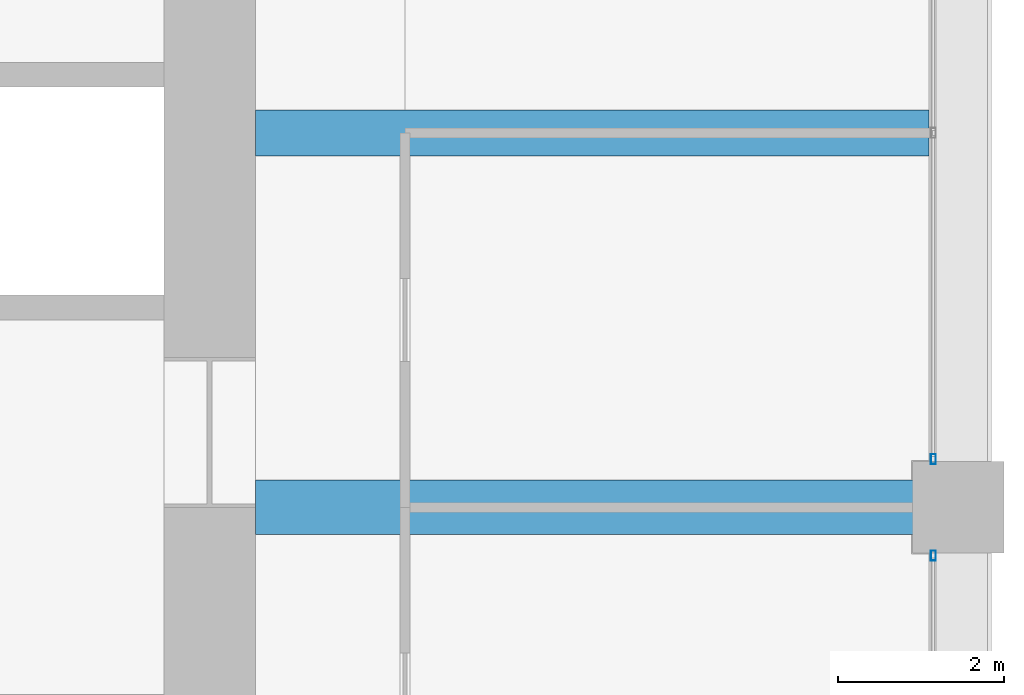
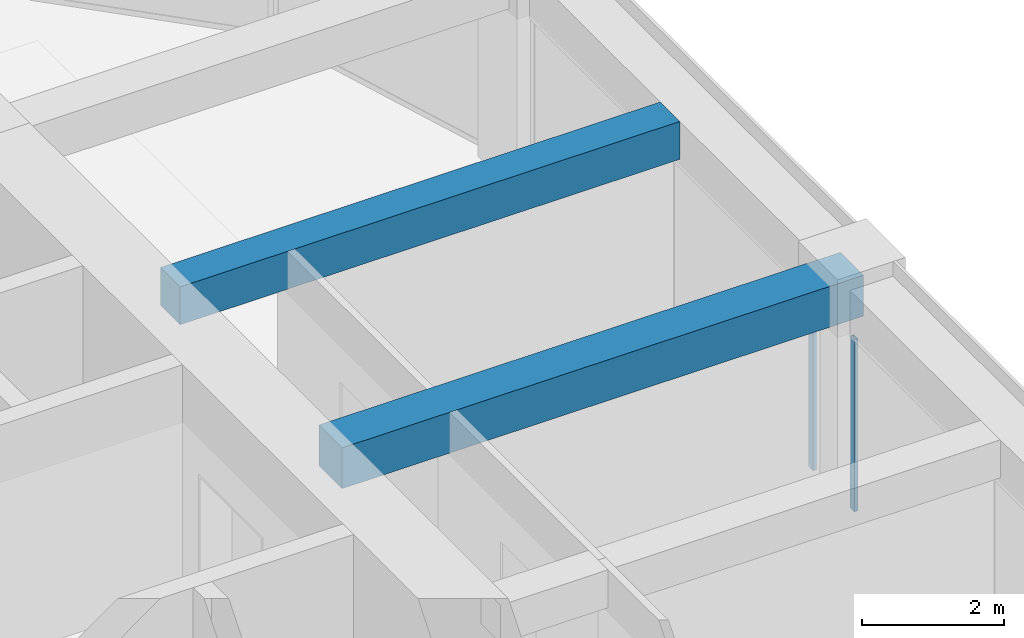
# One storey, part 26 of 44: 2 beams, 2 members, 2 elements without a shape of their own.
"""IFC4 building model written with IfcOpenShell, lengths in metres."""

import ifcopenshell
import ifcopenshell.guid

model = None  # the IFC model being written
_history = None  # IfcOwnerHistory: only IFC2X3 demands one
_inside = {}  # id of a spatial element -> (the spatial element, [elements in it])
_under = {}  # id of a project, library or spatial element -> (it, [spatial elements below it])
_declared = {}  # id of a project -> (the project, [libraries it declares])
_typed = {}  # id of a type object -> (the type object, [elements of that type])
_made_of = {}  # id of a material, layer set ... -> (it, [elements and type objects made of it])


def new_model(schema):
    """Start an empty IFC model of exactly this schema.

    Asked for "IFC4X3", IfcOpenShell would pick the latest addendum, in which some entities
    have other attributes; the version numbers below select the first issue.
    IFC2X3 requires an IfcOwnerHistory on every rooted entity: one is made here for all.
    """
    global model, _history
    if schema == "IFC4X3":
        model = ifcopenshell.file(schema_version=(4, 3, 0, 0))
    else:
        model = ifcopenshell.file(schema=schema)
    _inside.clear()
    _under.clear()
    _declared.clear()
    _typed.clear()
    _made_of.clear()
    _history = None
    if model.schema == "IFC2X3":
        org = make("IfcOrganization", Name="unknown")
        user = make(
            "IfcPersonAndOrganization",
            ThePerson=make("IfcPerson", FamilyName="unknown"),
            TheOrganization=org,
        )
        app = make(
            "IfcApplication",
            ApplicationDeveloper=org,
            Version="unknown",
            ApplicationFullName="unknown",
            ApplicationIdentifier="unknown",
        )
        _history = make(
            "IfcOwnerHistory",
            OwningUser=user,
            OwningApplication=app,
            ChangeAction="ADDED",
            CreationDate=0,
        )
    return model


def make(cls, **values):
    """One entity of the class cls with the attributes given. An attribute that is None is left unset."""
    return model.create_entity(
        cls, **{name: value for name, value in values.items() if value is not None}
    )


def rooted(cls, **values):
    """An entity with a GlobalId (a new one), such as an element, a storey or a relation."""
    return make(cls, GlobalId=ifcopenshell.guid.new(), OwnerHistory=_history, **values)


def si_unit(unit_type, name, prefix=None):
    """IfcSIUnit, for example si_unit("LENGTHUNIT", "METRE", prefix="MILLI")."""
    return make("IfcSIUnit", UnitType=unit_type, Prefix=prefix, Name=name)


def assignment(units):
    """IfcUnitAssignment: the units of a project."""
    return None if units is None else make("IfcUnitAssignment", Units=units)


def point(xyz):
    """IfcCartesianPoint."""
    return None if xyz is None else make("IfcCartesianPoint", Coordinates=xyz)


def direction(xyz):
    """IfcDirection."""
    return None if xyz is None else make("IfcDirection", DirectionRatios=xyz)


def frame(location, z_axis=None, x_axis=None):
    """IfcAxis2Placement3D, a coordinate frame: its origin and axes. An axis left out is left unset."""
    return make(
        "IfcAxis2Placement3D",
        Location=point(location),
        Axis=direction(z_axis),
        RefDirection=direction(x_axis),
    )


def frame_2d(location, x_axis=None):
    """IfcAxis2Placement2D, a coordinate frame in the plane: its origin and x axis."""
    return make(
        "IfcAxis2Placement2D", Location=point(location), RefDirection=direction(x_axis)
    )


def origin():
    """The frame at (0, 0, 0) with its axes left unset."""
    return frame((0.0, 0.0, 0.0))


def origin_2d():
    """The frame at (0, 0) in the plane with its x axis left unset."""
    return frame_2d((0.0, 0.0))


def place(relative_to, where):
    """IfcLocalPlacement: puts the frame where relative to a parent placement (None: the world)."""
    return make(
        "IfcLocalPlacement", PlacementRelTo=relative_to, RelativePlacement=where
    )


def context(
    kind, dimensions, precision=None, world=None, true_north=None, identifier=None
):
    """IfcGeometricRepresentationContext, for example the 3D "Model" context."""
    return make(
        "IfcGeometricRepresentationContext",
        ContextIdentifier=identifier,
        ContextType=kind,
        CoordinateSpaceDimension=dimensions,
        Precision=precision,
        WorldCoordinateSystem=world,
        TrueNorth=true_north,
    )


def subcontext(parent, identifier, kind, view, scale=None):
    """IfcGeometricRepresentationSubContext, for example "Body" below "Model"."""
    return make(
        "IfcGeometricRepresentationSubContext",
        ContextIdentifier=identifier,
        ContextType=kind,
        ParentContext=parent,
        TargetScale=scale,
        TargetView=view,
    )


def project(units=None, contexts=None):
    """IfcProject with its units and contexts."""
    return rooted(
        "IfcProject",
        Name="project",
        RepresentationContexts=contexts,
        UnitsInContext=assignment(units),
    )


def spatial(cls, under=None, at=None, **own):
    """A site, building, storey or space (cls), placed at a placement, below another one or the project."""
    s = rooted(cls, ObjectPlacement=at, **own)
    if under is not None:
        _under.setdefault(under.id(), (under, []))[1].append(s)
    return s


def profile(cls, at=None, kind="AREA", **sizes):
    """A parametric profile (cls). Its sizes go by their IFC names, for example OverallWidth=200.0."""
    return make(cls, ProfileType=kind, Position=at, **sizes)


def rectangle(**sizes):
    """IfcRectangleProfileDef."""
    return profile("IfcRectangleProfileDef", **sizes)


def hollow_rectangle(**sizes):
    """IfcRectangleHollowProfileDef."""
    return profile("IfcRectangleHollowProfileDef", **sizes)


def extrude(swept, where, along, depth):
    """IfcExtrudedAreaSolid: the profile swept, set in the frame where, extruded along a direction by depth."""
    return make(
        "IfcExtrudedAreaSolid",
        SweptArea=swept,
        Position=where,
        ExtrudedDirection=direction(along),
        Depth=depth,
    )


def shape(context_of_items, identifier, shape_type, items):
    """IfcShapeRepresentation: the items that make up one representation, for example the "Body"."""
    return make(
        "IfcShapeRepresentation",
        ContextOfItems=context_of_items,
        RepresentationIdentifier=identifier,
        RepresentationType=shape_type,
        Items=items,
    )


def material(Name=None, Category=None):
    """IfcMaterial."""
    return make("IfcMaterial", Name=Name, Category=Category)


def material_profile(
    of_material, cross_section, Name=None, Category=None, Priority=None
):
    """IfcMaterialProfile: a cross section and its material."""
    return make(
        "IfcMaterialProfile",
        Name=Name,
        Material=of_material,
        Profile=cross_section,
        Priority=Priority,
        Category=Category,
    )


def profile_set(profiles, Name=None, composite=None):
    """IfcMaterialProfileSet."""
    return make(
        "IfcMaterialProfileSet",
        Name=Name,
        MaterialProfiles=profiles,
        CompositeProfile=composite,
    )


def made_of(thing, what):
    """Note that an element or type object is made of a material, layer set ...; save() writes the relation."""
    if what is not None:
        _made_of.setdefault(what.id(), (what, []))[1].append(thing)
    return thing


def type_object(cls, material=None, **own):
    """A type object (cls), such as IfcWallType, which elements share."""
    return made_of(rooted(cls, **own), material)


def element(
    cls,
    number,
    at=None,
    inside=None,
    cuts=None,
    type_object=None,
    material=None,
    context=None,
    identifier="Body",
    shape_type=None,
    held_by="IfcProductDefinitionShape",
    body=None,
    shapes=None,
    **own,
):
    """One element of the class cls, such as IfcWall. Its Tag is "e" and its number.

    at: its placement. inside: the storey or other place that contains it. cuts: it is an
    opening in that element (IfcRelVoidsElement). A single representation is given by context,
    identifier, shape_type and body (its items); several are given by shapes. held_by: the class
    of the entity that holds the representations. save() writes the other relations.
    """
    e = rooted(cls, Tag="e%d" % number, ObjectPlacement=at, **own)
    if body is not None:
        shapes = [shape(context, identifier, shape_type, body)]
    if shapes is not None:
        e.Representation = make(held_by, Representations=shapes)
    if inside is not None:
        _inside.setdefault(inside.id(), (inside, []))[1].append(e)
    if cuts is not None:
        rooted(
            "IfcRelVoidsElement", RelatingBuildingElement=cuts, RelatedOpeningElement=e
        )
    if type_object is not None:
        _typed.setdefault(type_object.id(), (type_object, []))[1].append(e)
    return made_of(e, material)


def aggregate(whole, parts):
    """IfcRelAggregates: a whole, such as a stair, and the parts it consists of."""
    return rooted("IfcRelAggregates", RelatingObject=whole, RelatedObjects=parts)


def save(model, path):
    """Write the relations noted so far, then the file.

    IfcRelAggregates (storeys below a building ...), IfcRelContainedInSpatialStructure (elements
    in a storey), IfcRelDefinesByType, IfcRelAssociatesMaterial and IfcRelDeclares: one each for
    every whole, place, type object, material and project.
    """
    for whole, parts in _under.values():
        aggregate(whole, parts)
    for where, things in _inside.values():
        rooted(
            "IfcRelContainedInSpatialStructure",
            RelatedElements=things,
            RelatingStructure=where,
        )
    for kind, things in _typed.values():
        rooted("IfcRelDefinesByType", RelatedObjects=things, RelatingType=kind)
    for what, things in _made_of.values():
        rooted("IfcRelAssociatesMaterial", RelatedObjects=things, RelatingMaterial=what)
    for by, libraries in _declared.values():
        rooted("IfcRelDeclares", RelatingContext=by, RelatedDefinitions=libraries)
    model.write(path)


model = new_model("IFC4")

# Units and contexts
model_context = context("Model", 3, precision=1e-05, world=origin(), true_north=direction((0.0, 1.0)))
body_context = subcontext(model_context, "Body", "Model", "MODEL_VIEW")
ifc_project = project(units=[si_unit("LENGTHUNIT", "METRE"), si_unit("AREAUNIT", "SQUARE_METRE"), si_unit("VOLUMEUNIT", "CUBIC_METRE"), si_unit("PLANEANGLEUNIT", "RADIAN"), si_unit("MASSUNIT", "GRAM", prefix="KILO")], contexts=[model_context])

# Site, building, storey
site_placement = place(None, origin())
site = spatial("IfcSite", under=ifc_project, at=site_placement, CompositionType="ELEMENT")
building_placement = place(site_placement, origin())
building = spatial("IfcBuilding", under=site, at=building_placement, Name="Zorevar Civic Tower", CompositionType="ELEMENT")
storey_placement = place(building_placement, frame((0.0, 0.0, 287.39990234375)))
storey = spatial("IfcBuildingStorey", under=building, at=storey_placement, Name="L70", CompositionType="ELEMENT", Elevation=287.39990234375)

# Beams
ifc_material_1 = material(Name="Concrete C50/60", Category="concrete")
ifc_material_profile_1 = material_profile(ifc_material_1, rectangle(XDim=0.550048828125, YDim=0.64990234375, at=origin_2d()), Name="RC 550x650")
ifc_profile_set_1 = profile_set([ifc_material_profile_1], Name="Concrete C50/60")
beam_type_1 = type_object("IfcBeamType", Name="Beam RC 550x650", PredefinedType="BEAM", material=ifc_profile_set_1)
beam_1_placement = place(storey_placement, frame((45.550048828125, 31.5, 3.425048828125), z_axis=(1.0, 0.0, 0.0), x_axis=(0.0, 1.0, 0.0)))
element("IfcBeam", 1, at=beam_1_placement, inside=storey, type_object=beam_type_1, Name="Secondary beam L71", PredefinedType="BEAM", context=body_context, shape_type="SweptSolid", body=[
    extrude(rectangle(XDim=0.550048828125, YDim=0.64990234375, at=origin_2d()), origin(), (0.0, 0.0, 1.0), 8.099853515625),
])
ifc_material_2 = material(Name="Concrete C50/60", Category="concrete")
ifc_material_profile_2 = material_profile(ifc_material_2, rectangle(XDim=0.64990234375, YDim=0.699951171875, at=origin_2d()), Name="RC 650x700")
ifc_profile_set_2 = profile_set([ifc_material_profile_2], Name="Concrete C50/60")
beam_type_2 = type_object("IfcBeamType", Name="Beam RC 650x700", PredefinedType="BEAM", material=ifc_profile_set_2)
beam_2_placement = place(storey_placement, frame((45.550048828125, 27.0, 3.400146484375), z_axis=(1.0, 0.0, 0.0), x_axis=(0.0, 1.0, 0.0)))
element("IfcBeam", 2, at=beam_2_placement, inside=storey, type_object=beam_type_2, Name="Girder L71", PredefinedType="BEAM", context=body_context, shape_type="SweptSolid", body=[
    extrude(rectangle(XDim=0.64990234375, YDim=0.699951171875, at=origin_2d()), origin(), (0.0, 0.0, 1.0), 8.449951171875),
])

# Curtain wall, member
ifc_material_3 = material(Name="Dark grey solar-control glass in black aluminium frame", Category="aluminium")
curtain_wall_type = type_object("IfcCurtainWallType", Name="Curtain wall CW5 top zone", PredefinedType="NOTDEFINED", material=ifc_material_3)
curtain_wall_1_placement = place(storey_placement, origin())
curtain_wall_1 = element("IfcCurtainWall", 3, at=curtain_wall_1_placement, inside=storey, type_object=curtain_wall_type, Name="CW5 L70", PredefinedType="NOTDEFINED")
ifc_material_4 = material(Name="Aluminium, black anodised", Category="aluminium")
ifc_material_profile_3 = material_profile(ifc_material_4, hollow_rectangle(XDim=0.06005859375, YDim=0.1201171875, WallThickness=0.0029296875, at=origin_2d()), Name="AL 120x60x3")
ifc_profile_set_3 = profile_set([ifc_material_profile_3], Name="Aluminium, black anodised")
member_type = type_object("IfcMemberType", Name="CW5 mullion AL 120x60x3", PredefinedType="MULLION", material=ifc_profile_set_3)
member_1_placement = place(storey_placement, frame((53.699951171875, 26.419921875, 0.0), z_axis=(0.0, 0.0, 1.0), x_axis=(-1.0, 0.0, 0.0)))
member_1 = element("IfcMember", 4, at=member_1_placement, type_object=member_type, Name="CW5 mullion 3", PredefinedType="MULLION", context=body_context, shape_type="SweptSolid", body=[
    extrude(hollow_rectangle(XDim=0.06005859375, YDim=0.1201171875, WallThickness=0.0029296875, at=origin_2d()), origin(), (0.0, 0.0, 1.0), 2.9501953125),
])
aggregate(curtain_wall_1, [member_1])

curtain_wall_2_placement = place(storey_placement, origin())
curtain_wall_2 = element("IfcCurtainWall", 5, at=curtain_wall_2_placement, inside=storey, type_object=curtain_wall_type, Name="CW5 L70", PredefinedType="NOTDEFINED")
member_2_placement = place(storey_placement, frame((53.699951171875, 27.580078125, 0.0), z_axis=(0.0, 0.0, 1.0), x_axis=(-1.0, 0.0, 0.0)))
member_2 = element("IfcMember", 6, at=member_2_placement, type_object=member_type, Name="CW5 mullion 1", PredefinedType="MULLION", context=body_context, shape_type="SweptSolid", body=[
    extrude(hollow_rectangle(XDim=0.06005859375, YDim=0.1201171875, WallThickness=0.0029296875, at=origin_2d()), origin(), (0.0, 0.0, 1.0), 2.9501953125),
])
aggregate(curtain_wall_2, [member_2])

save(model, "model.ifc")
